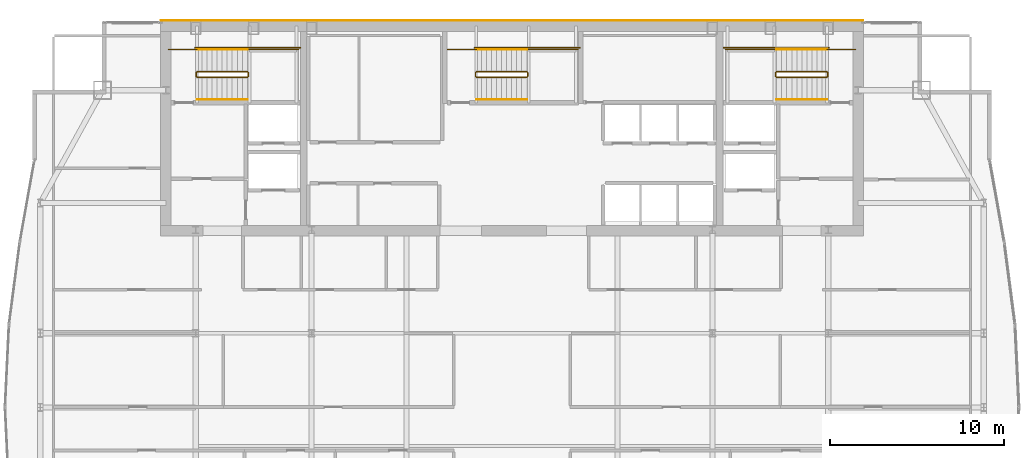
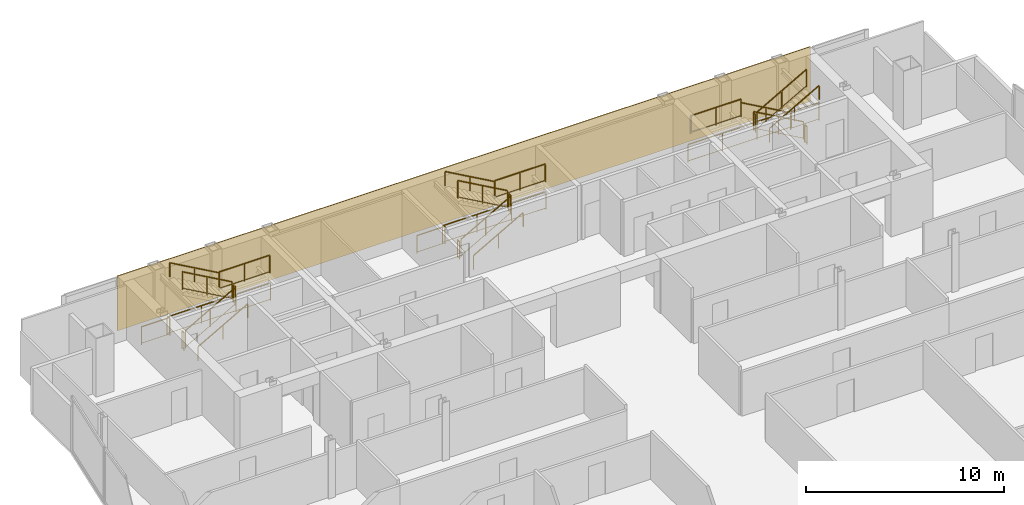
# One storey, part 30 of 30: 27 railings, 1 covering.
"""IFC4 building model written with IfcOpenShell, lengths in metres."""

from ifc_helpers import new_model, si_unit, direction, frame, origin, origin_2d, place, context, subcontext, project, spatial, polyline, rectangle, outline, extrude, material, layer, layer_set, type_object, element, save


model = new_model("IFC4")

# Units and contexts
model_context = context("Model", 3, precision=1e-05, world=origin(), true_north=direction((0.0, 1.0)))
body_context = subcontext(model_context, "Body", "Model", "MODEL_VIEW")
ifc_project = project(units=[si_unit("LENGTHUNIT", "METRE"), si_unit("AREAUNIT", "SQUARE_METRE"), si_unit("VOLUMEUNIT", "CUBIC_METRE"), si_unit("PLANEANGLEUNIT", "RADIAN"), si_unit("MASSUNIT", "GRAM", prefix="KILO")], contexts=[model_context])

# Site, building, storey
site_placement = place(None, origin())
site = spatial("IfcSite", under=ifc_project, at=site_placement, CompositionType="ELEMENT")
building_placement = place(site_placement, origin())
building = spatial("IfcBuilding", under=site, at=building_placement, Name="Khoronbel Lancet Exchange", CompositionType="ELEMENT")
storey_placement = place(building_placement, frame((0.0, 0.0, 253.39990234375)))
storey = spatial("IfcBuildingStorey", under=building, at=storey_placement, Name="L65", CompositionType="ELEMENT", Elevation=253.39990234375)

# Covering
ifc_material_1 = material(Name="Honed Egyptian Limestone & Bronze Rainscreen", Category="masonry")
ifc_layer = layer(ifc_material_1, 0.050048828125, Name="Honed Egyptian Limestone & Bronze Rainscreen")
ifc_layer_set = layer_set([ifc_layer], Name="Honed Egyptian Limestone & Bronze Rainscreen")
covering_type = type_object("IfcCoveringType", Name="COV-CLAD1", PredefinedType="CLADDING", material=ifc_layer_set)
covering_placement = place(storey_placement, origin())
element("IfcCovering", 1, at=covering_placement, inside=storey, type_object=covering_type, Name="Level L65 north rear-core stone and bronze rainscreen cladding", PredefinedType="CLADDING", context=body_context, shape_type="SweptSolid", body=[
    extrude(outline(polyline([(16.199951171875, 53.699951171875), (56.699951171875, 53.699951171875), (56.699951171875, 53.75), (16.199951171875, 53.75), (16.199951171875, 53.699951171875)])), origin(), (0.0, 0.0, 1.0), 3.380126953125),
])

# Railings
ifc_material_2 = material(Name="Painted Steel Balustrade", Category="steel")
railing_type_1 = type_object("IfcRailingType", Name="RL-STG110", PredefinedType="GUARDRAIL", material=ifc_material_2)
railing_1_placement = place(storey_placement, frame((18.300048828125, 50.449951171875, 0.163818359375)))
element("IfcRailing", 2, at=railing_1_placement, inside=storey, type_object=railing_type_1, Name="L65 ST1 stair guard 1", PredefinedType="GUARDRAIL", context=body_context, shape_type="SweptSolid", body=[
    extrude(rectangle(XDim=0.048095703125, YDim=0.048095703125, at=origin_2d()), frame((0.0, 0.0, 1.09619140625), z_axis=(0.870928581787, 0.0, 0.491409610636), x_axis=(0.0, 1.0, 0.0)), (0.0, 0.0, 1.0), 3.32958984375),
    extrude(rectangle(XDim=0.02392578125, YDim=0.02392578125, at=origin_2d()), frame((0.0, 0.0, 0.080078125), z_axis=(0.870928581787, 0.0, 0.491409610636), x_axis=(0.0, 1.0, 0.0)), (0.0, 0.0, 1.0), 3.32958984375),
    extrude(rectangle(XDim=0.0419921875, YDim=0.0419921875, at=origin_2d()), origin(), (0.0, 0.0, 1.0), 1.072021484375),
    extrude(rectangle(XDim=0.0419921875, YDim=0.0419921875, at=origin_2d()), frame((1.449951171875, 0.0, 0.818115234375)), (0.0, 0.0, 1.0), 1.072021484375),
    extrude(rectangle(XDim=0.0419921875, YDim=0.0419921875, at=origin_2d()), frame((2.89990234375, 0.0, 1.63623046875)), (0.0, 0.0, 1.0), 1.072021484375),
])
railing_2_placement = place(storey_placement, frame((21.25, 50.5, 1.800048828125)))
element("IfcRailing", 3, at=railing_2_placement, inside=storey, type_object=railing_type_1, Name="L65 ST1 stair guard 2", PredefinedType="GUARDRAIL", context=body_context, shape_type="SweptSolid", body=[
    extrude(rectangle(XDim=0.048095703125, YDim=0.048095703125, at=origin_2d()), frame((0.0, 0.0, 1.09619140625), z_axis=(0.0, 1.0, 0.0), x_axis=(-1.0, 0.0, 0.0)), (0.0, 0.0, 1.0), 0.219970703125),
    extrude(rectangle(XDim=0.02392578125, YDim=0.02392578125, at=origin_2d()), frame((0.0, 0.0, 0.080078125), z_axis=(0.0, 1.0, 0.0), x_axis=(-1.0, 0.0, 0.0)), (0.0, 0.0, 1.0), 0.219970703125),
    extrude(rectangle(XDim=0.0419921875, YDim=0.0419921875, at=origin_2d()), origin(), (0.0, 0.0, 1.0), 1.072021484375),
    extrude(rectangle(XDim=0.0419921875, YDim=0.0419921875, at=origin_2d()), frame((0.0, 0.219970703125, 0.0)), (0.0, 0.0, 1.0), 1.072021484375),
])
railing_3_placement = place(storey_placement, frame((21.199951171875, 52.050048828125, 1.800048828125)))
element("IfcRailing", 4, at=railing_3_placement, inside=storey, type_object=railing_type_1, Name="L65 ST1 stair guard 3", PredefinedType="GUARDRAIL", context=body_context, shape_type="SweptSolid", body=[
    extrude(rectangle(XDim=0.048095703125, YDim=0.048095703125, at=origin_2d()), frame((0.0, 0.0, 1.09619140625), z_axis=(1.0, 0.0, 0.0), x_axis=(0.0, 1.0, 0.0)), (0.0, 0.0, 1.0), 2.949951171875),
    extrude(rectangle(XDim=0.02392578125, YDim=0.02392578125, at=origin_2d()), frame((0.0, 0.0, 0.080078125), z_axis=(1.0, 0.0, 0.0), x_axis=(0.0, 1.0, 0.0)), (0.0, 0.0, 1.0), 2.949951171875),
    extrude(rectangle(XDim=0.0419921875, YDim=0.0419921875, at=origin_2d()), origin(), (0.0, 0.0, 1.0), 1.072021484375),
    extrude(rectangle(XDim=0.0419921875, YDim=0.0419921875, at=origin_2d()), frame((1.47509765625, 0.0, 0.0)), (0.0, 0.0, 1.0), 1.072021484375),
    extrude(rectangle(XDim=0.0419921875, YDim=0.0419921875, at=origin_2d()), frame((2.949951171875, 0.0, 0.0)), (0.0, 0.0, 1.0), 1.072021484375),
])
railing_4_placement = place(storey_placement, frame((21.199951171875, 50.77001953125, 1.963623046875)))
element("IfcRailing", 5, at=railing_4_placement, inside=storey, type_object=railing_type_1, Name="L65 ST1 stair guard 4", PredefinedType="GUARDRAIL", context=body_context, shape_type="SweptSolid", body=[
    extrude(rectangle(XDim=0.048095703125, YDim=0.048095703125, at=origin_2d()), frame((0.0, 0.0, 1.09619140625), z_axis=(-0.870897200241, 0.0, 0.491465224214), x_axis=(0.0, -1.0, 0.0)), (0.0, 0.0, 1.0), 3.329833984375),
    extrude(rectangle(XDim=0.02392578125, YDim=0.02392578125, at=origin_2d()), frame((0.0, 0.0, 0.080078125), z_axis=(-0.870897200241, 0.0, 0.491465224214), x_axis=(0.0, -1.0, 0.0)), (0.0, 0.0, 1.0), 3.329833984375),
    extrude(rectangle(XDim=0.0419921875, YDim=0.0419921875, at=origin_2d()), origin(), (0.0, 0.0, 1.0), 1.072021484375),
    extrude(rectangle(XDim=0.0419921875, YDim=0.0419921875, at=origin_2d()), frame((-1.449951171875, 0.0, 0.818359375)), (0.0, 0.0, 1.0), 1.072021484375),
    extrude(rectangle(XDim=0.0419921875, YDim=0.0419921875, at=origin_2d()), frame((-2.89990234375, 0.0, 1.636474609375)), (0.0, 0.0, 1.0), 1.072021484375),
])
railing_5_placement = place(storey_placement, frame((18.25, 50.5, 0.0)))
element("IfcRailing", 6, at=railing_5_placement, inside=storey, type_object=railing_type_1, Name="L65 ST1 stair guard 5", PredefinedType="GUARDRAIL", context=body_context, shape_type="SweptSolid", body=[
    extrude(rectangle(XDim=0.048095703125, YDim=0.048095703125, at=origin_2d()), frame((0.0, 0.0, 1.09619140625), z_axis=(0.0, 1.0, 0.0), x_axis=(-1.0, 0.0, 0.0)), (0.0, 0.0, 1.0), 0.219970703125),
    extrude(rectangle(XDim=0.02392578125, YDim=0.02392578125, at=origin_2d()), frame((0.0, 0.0, 0.080078125), z_axis=(0.0, 1.0, 0.0), x_axis=(-1.0, 0.0, 0.0)), (0.0, 0.0, 1.0), 0.219970703125),
    extrude(rectangle(XDim=0.0419921875, YDim=0.0419921875, at=origin_2d()), origin(), (0.0, 0.0, 1.0), 1.072021484375),
    extrude(rectangle(XDim=0.0419921875, YDim=0.0419921875, at=origin_2d()), frame((0.0, 0.219970703125, 0.0)), (0.0, 0.0, 1.0), 1.072021484375),
])
railing_6_placement = place(storey_placement, frame((16.64990234375, 52.050048828125, 0.0)))
element("IfcRailing", 7, at=railing_6_placement, inside=storey, type_object=railing_type_1, Name="L65 ST1 stair guard 6", PredefinedType="GUARDRAIL", context=body_context, shape_type="SweptSolid", body=[
    extrude(rectangle(XDim=0.048095703125, YDim=0.048095703125, at=origin_2d()), frame((0.0, 0.0, 1.09619140625), z_axis=(1.0, 0.0, 0.0), x_axis=(0.0, 1.0, 0.0)), (0.0, 0.0, 1.0), 1.650146484375),
    extrude(rectangle(XDim=0.02392578125, YDim=0.02392578125, at=origin_2d()), frame((0.0, 0.0, 0.080078125), z_axis=(1.0, 0.0, 0.0), x_axis=(0.0, 1.0, 0.0)), (0.0, 0.0, 1.0), 1.650146484375),
    extrude(rectangle(XDim=0.0419921875, YDim=0.0419921875, at=origin_2d()), origin(), (0.0, 0.0, 1.0), 1.072021484375),
    extrude(rectangle(XDim=0.0419921875, YDim=0.0419921875, at=origin_2d()), frame((1.650146484375, 0.0, 0.0)), (0.0, 0.0, 1.0), 1.072021484375),
])
railing_7_placement = place(storey_placement, frame((18.199951171875, 52.14990234375, 0.0)))
element("IfcRailing", 8, at=railing_7_placement, inside=storey, type_object=railing_type_1, Name="L65 ST1 stair guard 7", PredefinedType="GUARDRAIL", context=body_context, shape_type="SweptSolid", body=[
    extrude(rectangle(XDim=0.048095703125, YDim=0.048095703125, at=origin_2d()), frame((0.0, 0.0, 1.09619140625), z_axis=(1.0, 0.0, 0.0), x_axis=(0.0, 1.0, 0.0)), (0.0, 0.0, 1.0), 6.050048828125),
    extrude(rectangle(XDim=0.02392578125, YDim=0.02392578125, at=origin_2d()), frame((0.0, 0.0, 0.080078125), z_axis=(1.0, 0.0, 0.0), x_axis=(0.0, 1.0, 0.0)), (0.0, 0.0, 1.0), 6.050048828125),
    extrude(rectangle(XDim=0.0419921875, YDim=0.0419921875, at=origin_2d()), origin(), (0.0, 0.0, 1.0), 1.072021484375),
    extrude(rectangle(XDim=0.0419921875, YDim=0.0419921875, at=origin_2d()), frame((2.0166015625, 0.0, 0.0)), (0.0, 0.0, 1.0), 1.072021484375),
    extrude(rectangle(XDim=0.0419921875, YDim=0.0419921875, at=origin_2d()), frame((4.033447265625, 0.0, 0.0)), (0.0, 0.0, 1.0), 1.072021484375),
    extrude(rectangle(XDim=0.0419921875, YDim=0.0419921875, at=origin_2d()), frame((6.050048828125, 0.0, 0.0)), (0.0, 0.0, 1.0), 1.072021484375),
])
railing_8_placement = place(storey_placement, frame((54.60009765625, 50.77001953125, 0.163818359375)))
element("IfcRailing", 9, at=railing_8_placement, inside=storey, type_object=railing_type_1, Name="L65 ST2 stair guard 1", PredefinedType="GUARDRAIL", context=body_context, shape_type="SweptSolid", body=[
    extrude(rectangle(XDim=0.048095703125, YDim=0.048095703125, at=origin_2d()), frame((0.0, 0.0, 1.09619140625), z_axis=(-0.870946286338, 0.0, 0.49137823142), x_axis=(0.0, -1.0, 0.0)), (0.0, 0.0, 1.0), 3.329833984375),
    extrude(rectangle(XDim=0.02392578125, YDim=0.02392578125, at=origin_2d()), frame((0.0, 0.0, 0.080078125), z_axis=(-0.870946286338, 0.0, 0.49137823142), x_axis=(0.0, -1.0, 0.0)), (0.0, 0.0, 1.0), 3.329833984375),
    extrude(rectangle(XDim=0.0419921875, YDim=0.0419921875, at=origin_2d()), origin(), (0.0, 0.0, 1.0), 1.072021484375),
    extrude(rectangle(XDim=0.0419921875, YDim=0.0419921875, at=origin_2d()), frame((-1.4501953125, 0.0, 0.818115234375)), (0.0, 0.0, 1.0), 1.072021484375),
    extrude(rectangle(XDim=0.0419921875, YDim=0.0419921875, at=origin_2d()), frame((-2.900146484375, 0.0, 1.63623046875)), (0.0, 0.0, 1.0), 1.072021484375),
])
railing_9_placement = place(storey_placement, frame((51.64990234375, 50.719970703125, 1.800048828125)))
element("IfcRailing", 10, at=railing_9_placement, inside=storey, type_object=railing_type_1, Name="L65 ST2 stair guard 2", PredefinedType="GUARDRAIL", context=body_context, shape_type="SweptSolid", body=[
    extrude(rectangle(XDim=0.048095703125, YDim=0.048095703125, at=origin_2d()), frame((0.0, 0.0, 1.09619140625), z_axis=(0.0, -1.0, 0.0), x_axis=(1.0, 0.0, 0.0)), (0.0, 0.0, 1.0), 0.219970703125),
    extrude(rectangle(XDim=0.02392578125, YDim=0.02392578125, at=origin_2d()), frame((0.0, 0.0, 0.080078125), z_axis=(0.0, -1.0, 0.0), x_axis=(1.0, 0.0, 0.0)), (0.0, 0.0, 1.0), 0.219970703125),
    extrude(rectangle(XDim=0.0419921875, YDim=0.0419921875, at=origin_2d()), origin(), (0.0, 0.0, 1.0), 1.072021484375),
    extrude(rectangle(XDim=0.0419921875, YDim=0.0419921875, at=origin_2d()), frame((0.0, -0.219970703125, 0.0)), (0.0, 0.0, 1.0), 1.072021484375),
])
railing_10_placement = place(storey_placement, frame((51.699951171875, 52.050048828125, 1.800048828125)))
element("IfcRailing", 11, at=railing_10_placement, inside=storey, type_object=railing_type_1, Name="L65 ST2 stair guard 3", PredefinedType="GUARDRAIL", context=body_context, shape_type="SweptSolid", body=[
    extrude(rectangle(XDim=0.048095703125, YDim=0.048095703125, at=origin_2d()), frame((0.0, 0.0, 1.09619140625), z_axis=(-1.0, 0.0, 0.0), x_axis=(0.0, -1.0, 0.0)), (0.0, 0.0, 1.0), 2.949951171875),
    extrude(rectangle(XDim=0.02392578125, YDim=0.02392578125, at=origin_2d()), frame((0.0, 0.0, 0.080078125), z_axis=(-1.0, 0.0, 0.0), x_axis=(0.0, -1.0, 0.0)), (0.0, 0.0, 1.0), 2.949951171875),
    extrude(rectangle(XDim=0.0419921875, YDim=0.0419921875, at=origin_2d()), origin(), (0.0, 0.0, 1.0), 1.072021484375),
    extrude(rectangle(XDim=0.0419921875, YDim=0.0419921875, at=origin_2d()), frame((-1.47509765625, 0.0, 0.0)), (0.0, 0.0, 1.0), 1.072021484375),
    extrude(rectangle(XDim=0.0419921875, YDim=0.0419921875, at=origin_2d()), frame((-2.949951171875, 0.0, 0.0)), (0.0, 0.0, 1.0), 1.072021484375),
])
railing_11_placement = place(storey_placement, frame((51.699951171875, 50.449951171875, 1.963623046875)))
element("IfcRailing", 12, at=railing_11_placement, inside=storey, type_object=railing_type_1, Name="L65 ST2 stair guard 4", PredefinedType="GUARDRAIL", context=body_context, shape_type="SweptSolid", body=[
    extrude(rectangle(XDim=0.048095703125, YDim=0.048095703125, at=origin_2d()), frame((0.0, 0.0, 1.09619140625), z_axis=(0.870914908162, 0.0, 0.491433843708), x_axis=(0.0, 1.0, 0.0)), (0.0, 0.0, 1.0), 3.330078125),
    extrude(rectangle(XDim=0.02392578125, YDim=0.02392578125, at=origin_2d()), frame((0.0, 0.0, 0.080078125), z_axis=(0.870914908162, 0.0, 0.491433843708), x_axis=(0.0, 1.0, 0.0)), (0.0, 0.0, 1.0), 3.330078125),
    extrude(rectangle(XDim=0.0419921875, YDim=0.0419921875, at=origin_2d()), origin(), (0.0, 0.0, 1.0), 1.072021484375),
    extrude(rectangle(XDim=0.0419921875, YDim=0.0419921875, at=origin_2d()), frame((1.4501953125, 0.0, 0.818359375)), (0.0, 0.0, 1.0), 1.072021484375),
    extrude(rectangle(XDim=0.0419921875, YDim=0.0419921875, at=origin_2d()), frame((2.900146484375, 0.0, 1.636474609375)), (0.0, 0.0, 1.0), 1.072021484375),
])
railing_12_placement = place(storey_placement, frame((54.64990234375, 50.719970703125, 0.0)))
element("IfcRailing", 13, at=railing_12_placement, inside=storey, type_object=railing_type_1, Name="L65 ST2 stair guard 5", PredefinedType="GUARDRAIL", context=body_context, shape_type="SweptSolid", body=[
    extrude(rectangle(XDim=0.048095703125, YDim=0.048095703125, at=origin_2d()), frame((0.0, 0.0, 1.09619140625), z_axis=(0.0, -1.0, 0.0), x_axis=(1.0, 0.0, 0.0)), (0.0, 0.0, 1.0), 0.219970703125),
    extrude(rectangle(XDim=0.02392578125, YDim=0.02392578125, at=origin_2d()), frame((0.0, 0.0, 0.080078125), z_axis=(0.0, -1.0, 0.0), x_axis=(1.0, 0.0, 0.0)), (0.0, 0.0, 1.0), 0.219970703125),
    extrude(rectangle(XDim=0.0419921875, YDim=0.0419921875, at=origin_2d()), origin(), (0.0, 0.0, 1.0), 1.072021484375),
    extrude(rectangle(XDim=0.0419921875, YDim=0.0419921875, at=origin_2d()), frame((0.0, -0.219970703125, 0.0)), (0.0, 0.0, 1.0), 1.072021484375),
])
railing_13_placement = place(storey_placement, frame((56.25, 52.050048828125, 0.0)))
element("IfcRailing", 14, at=railing_13_placement, inside=storey, type_object=railing_type_1, Name="L65 ST2 stair guard 6", PredefinedType="GUARDRAIL", context=body_context, shape_type="SweptSolid", body=[
    extrude(rectangle(XDim=0.048095703125, YDim=0.048095703125, at=origin_2d()), frame((0.0, 0.0, 1.09619140625), z_axis=(-1.0, 0.0, 0.0), x_axis=(0.0, -1.0, 0.0)), (0.0, 0.0, 1.0), 1.64990234375),
    extrude(rectangle(XDim=0.02392578125, YDim=0.02392578125, at=origin_2d()), frame((0.0, 0.0, 0.080078125), z_axis=(-1.0, 0.0, 0.0), x_axis=(0.0, -1.0, 0.0)), (0.0, 0.0, 1.0), 1.64990234375),
    extrude(rectangle(XDim=0.0419921875, YDim=0.0419921875, at=origin_2d()), origin(), (0.0, 0.0, 1.0), 1.072021484375),
    extrude(rectangle(XDim=0.0419921875, YDim=0.0419921875, at=origin_2d()), frame((-1.64990234375, 0.0, 0.0)), (0.0, 0.0, 1.0), 1.072021484375),
])
railing_14_placement = place(storey_placement, frame((54.699951171875, 52.14990234375, 0.0)))
element("IfcRailing", 15, at=railing_14_placement, inside=storey, type_object=railing_type_1, Name="L65 ST2 stair guard 7", PredefinedType="GUARDRAIL", context=body_context, shape_type="SweptSolid", body=[
    extrude(rectangle(XDim=0.048095703125, YDim=0.048095703125, at=origin_2d()), frame((0.0, 0.0, 1.09619140625), z_axis=(-1.0, 0.0, 0.0), x_axis=(0.0, -1.0, 0.0)), (0.0, 0.0, 1.0), 6.050048828125),
    extrude(rectangle(XDim=0.02392578125, YDim=0.02392578125, at=origin_2d()), frame((0.0, 0.0, 0.080078125), z_axis=(-1.0, 0.0, 0.0), x_axis=(0.0, -1.0, 0.0)), (0.0, 0.0, 1.0), 6.050048828125),
    extrude(rectangle(XDim=0.0419921875, YDim=0.0419921875, at=origin_2d()), origin(), (0.0, 0.0, 1.0), 1.072021484375),
    extrude(rectangle(XDim=0.0419921875, YDim=0.0419921875, at=origin_2d()), frame((-2.0166015625, 0.0, 0.0)), (0.0, 0.0, 1.0), 1.072021484375),
    extrude(rectangle(XDim=0.0419921875, YDim=0.0419921875, at=origin_2d()), frame((-4.033447265625, 0.0, 0.0)), (0.0, 0.0, 1.0), 1.072021484375),
    extrude(rectangle(XDim=0.0419921875, YDim=0.0419921875, at=origin_2d()), frame((-6.050048828125, 0.0, 0.0)), (0.0, 0.0, 1.0), 1.072021484375),
])
railing_15_placement = place(storey_placement, frame((34.39990234375, 50.449951171875, 0.163818359375)))
element("IfcRailing", 16, at=railing_15_placement, inside=storey, type_object=railing_type_1, Name="L65 ST3 stair guard 1", PredefinedType="GUARDRAIL", context=body_context, shape_type="SweptSolid", body=[
    extrude(rectangle(XDim=0.048095703125, YDim=0.048095703125, at=origin_2d()), frame((0.0, 0.0, 1.09619140625), z_axis=(0.870946286338, 0.0, 0.49137823142), x_axis=(0.0, 1.0, 0.0)), (0.0, 0.0, 1.0), 3.329833984375),
    extrude(rectangle(XDim=0.02392578125, YDim=0.02392578125, at=origin_2d()), frame((0.0, 0.0, 0.080078125), z_axis=(0.870946286338, 0.0, 0.49137823142), x_axis=(0.0, 1.0, 0.0)), (0.0, 0.0, 1.0), 3.329833984375),
    extrude(rectangle(XDim=0.0419921875, YDim=0.0419921875, at=origin_2d()), origin(), (0.0, 0.0, 1.0), 1.072021484375),
    extrude(rectangle(XDim=0.0419921875, YDim=0.0419921875, at=origin_2d()), frame((1.4501953125, 0.0, 0.818115234375)), (0.0, 0.0, 1.0), 1.072021484375),
    extrude(rectangle(XDim=0.0419921875, YDim=0.0419921875, at=origin_2d()), frame((2.900146484375, 0.0, 1.63623046875)), (0.0, 0.0, 1.0), 1.072021484375),
])
railing_16_placement = place(storey_placement, frame((37.35009765625, 50.5, 1.800048828125)))
element("IfcRailing", 17, at=railing_16_placement, inside=storey, type_object=railing_type_1, Name="L65 ST3 stair guard 2", PredefinedType="GUARDRAIL", context=body_context, shape_type="SweptSolid", body=[
    extrude(rectangle(XDim=0.048095703125, YDim=0.048095703125, at=origin_2d()), frame((0.0, 0.0, 1.09619140625), z_axis=(0.0, 1.0, 0.0), x_axis=(-1.0, 0.0, 0.0)), (0.0, 0.0, 1.0), 0.219970703125),
    extrude(rectangle(XDim=0.02392578125, YDim=0.02392578125, at=origin_2d()), frame((0.0, 0.0, 0.080078125), z_axis=(0.0, 1.0, 0.0), x_axis=(-1.0, 0.0, 0.0)), (0.0, 0.0, 1.0), 0.219970703125),
    extrude(rectangle(XDim=0.0419921875, YDim=0.0419921875, at=origin_2d()), origin(), (0.0, 0.0, 1.0), 1.072021484375),
    extrude(rectangle(XDim=0.0419921875, YDim=0.0419921875, at=origin_2d()), frame((0.0, 0.219970703125, 0.0)), (0.0, 0.0, 1.0), 1.072021484375),
])
railing_17_placement = place(storey_placement, frame((37.300048828125, 52.050048828125, 1.800048828125)))
element("IfcRailing", 18, at=railing_17_placement, inside=storey, type_object=railing_type_1, Name="L65 ST3 stair guard 3", PredefinedType="GUARDRAIL", context=body_context, shape_type="SweptSolid", body=[
    extrude(rectangle(XDim=0.048095703125, YDim=0.048095703125, at=origin_2d()), frame((0.0, 0.0, 1.09619140625), z_axis=(1.0, 0.0, 0.0), x_axis=(0.0, 1.0, 0.0)), (0.0, 0.0, 1.0), 2.949951171875),
    extrude(rectangle(XDim=0.02392578125, YDim=0.02392578125, at=origin_2d()), frame((0.0, 0.0, 0.080078125), z_axis=(1.0, 0.0, 0.0), x_axis=(0.0, 1.0, 0.0)), (0.0, 0.0, 1.0), 2.949951171875),
    extrude(rectangle(XDim=0.0419921875, YDim=0.0419921875, at=origin_2d()), origin(), (0.0, 0.0, 1.0), 1.072021484375),
    extrude(rectangle(XDim=0.0419921875, YDim=0.0419921875, at=origin_2d()), frame((1.47509765625, 0.0, 0.0)), (0.0, 0.0, 1.0), 1.072021484375),
    extrude(rectangle(XDim=0.0419921875, YDim=0.0419921875, at=origin_2d()), frame((2.949951171875, 0.0, 0.0)), (0.0, 0.0, 1.0), 1.072021484375),
])
railing_18_placement = place(storey_placement, frame((37.300048828125, 50.77001953125, 1.963623046875)))
element("IfcRailing", 19, at=railing_18_placement, inside=storey, type_object=railing_type_1, Name="L65 ST3 stair guard 4", PredefinedType="GUARDRAIL", context=body_context, shape_type="SweptSolid", body=[
    extrude(rectangle(XDim=0.048095703125, YDim=0.048095703125, at=origin_2d()), frame((0.0, 0.0, 1.09619140625), z_axis=(-0.870914908162, 0.0, 0.491433843708), x_axis=(0.0, -1.0, 0.0)), (0.0, 0.0, 1.0), 3.330078125),
    extrude(rectangle(XDim=0.02392578125, YDim=0.02392578125, at=origin_2d()), frame((0.0, 0.0, 0.080078125), z_axis=(-0.870914908162, 0.0, 0.491433843708), x_axis=(0.0, -1.0, 0.0)), (0.0, 0.0, 1.0), 3.330078125),
    extrude(rectangle(XDim=0.0419921875, YDim=0.0419921875, at=origin_2d()), origin(), (0.0, 0.0, 1.0), 1.072021484375),
    extrude(rectangle(XDim=0.0419921875, YDim=0.0419921875, at=origin_2d()), frame((-1.4501953125, 0.0, 0.818359375)), (0.0, 0.0, 1.0), 1.072021484375),
    extrude(rectangle(XDim=0.0419921875, YDim=0.0419921875, at=origin_2d()), frame((-2.900146484375, 0.0, 1.636474609375)), (0.0, 0.0, 1.0), 1.072021484375),
])
railing_19_placement = place(storey_placement, frame((34.35009765625, 50.5, 0.0)))
element("IfcRailing", 20, at=railing_19_placement, inside=storey, type_object=railing_type_1, Name="L65 ST3 stair guard 5", PredefinedType="GUARDRAIL", context=body_context, shape_type="SweptSolid", body=[
    extrude(rectangle(XDim=0.048095703125, YDim=0.048095703125, at=origin_2d()), frame((0.0, 0.0, 1.09619140625), z_axis=(0.0, 1.0, 0.0), x_axis=(-1.0, 0.0, 0.0)), (0.0, 0.0, 1.0), 0.219970703125),
    extrude(rectangle(XDim=0.02392578125, YDim=0.02392578125, at=origin_2d()), frame((0.0, 0.0, 0.080078125), z_axis=(0.0, 1.0, 0.0), x_axis=(-1.0, 0.0, 0.0)), (0.0, 0.0, 1.0), 0.219970703125),
    extrude(rectangle(XDim=0.0419921875, YDim=0.0419921875, at=origin_2d()), origin(), (0.0, 0.0, 1.0), 1.072021484375),
    extrude(rectangle(XDim=0.0419921875, YDim=0.0419921875, at=origin_2d()), frame((0.0, 0.219970703125, 0.0)), (0.0, 0.0, 1.0), 1.072021484375),
])
railing_20_placement = place(storey_placement, frame((32.75, 52.050048828125, 0.0)))
element("IfcRailing", 21, at=railing_20_placement, inside=storey, type_object=railing_type_1, Name="L65 ST3 stair guard 6", PredefinedType="GUARDRAIL", context=body_context, shape_type="SweptSolid", body=[
    extrude(rectangle(XDim=0.048095703125, YDim=0.048095703125, at=origin_2d()), frame((0.0, 0.0, 1.09619140625), z_axis=(1.0, 0.0, 0.0), x_axis=(0.0, 1.0, 0.0)), (0.0, 0.0, 1.0), 1.64990234375),
    extrude(rectangle(XDim=0.02392578125, YDim=0.02392578125, at=origin_2d()), frame((0.0, 0.0, 0.080078125), z_axis=(1.0, 0.0, 0.0), x_axis=(0.0, 1.0, 0.0)), (0.0, 0.0, 1.0), 1.64990234375),
    extrude(rectangle(XDim=0.0419921875, YDim=0.0419921875, at=origin_2d()), origin(), (0.0, 0.0, 1.0), 1.072021484375),
    extrude(rectangle(XDim=0.0419921875, YDim=0.0419921875, at=origin_2d()), frame((1.64990234375, 0.0, 0.0)), (0.0, 0.0, 1.0), 1.072021484375),
])
railing_21_placement = place(storey_placement, frame((34.300048828125, 52.14990234375, 0.0)))
element("IfcRailing", 22, at=railing_21_placement, inside=storey, type_object=railing_type_1, Name="L65 ST3 stair guard 7", PredefinedType="GUARDRAIL", context=body_context, shape_type="SweptSolid", body=[
    extrude(rectangle(XDim=0.048095703125, YDim=0.048095703125, at=origin_2d()), frame((0.0, 0.0, 1.09619140625), z_axis=(1.0, 0.0, 0.0), x_axis=(0.0, 1.0, 0.0)), (0.0, 0.0, 1.0), 6.050048828125),
    extrude(rectangle(XDim=0.02392578125, YDim=0.02392578125, at=origin_2d()), frame((0.0, 0.0, 0.080078125), z_axis=(1.0, 0.0, 0.0), x_axis=(0.0, 1.0, 0.0)), (0.0, 0.0, 1.0), 6.050048828125),
    extrude(rectangle(XDim=0.0419921875, YDim=0.0419921875, at=origin_2d()), origin(), (0.0, 0.0, 1.0), 1.072021484375),
    extrude(rectangle(XDim=0.0419921875, YDim=0.0419921875, at=origin_2d()), frame((2.0166015625, 0.0, 0.0)), (0.0, 0.0, 1.0), 1.072021484375),
    extrude(rectangle(XDim=0.0419921875, YDim=0.0419921875, at=origin_2d()), frame((4.033447265625, 0.0, 0.0)), (0.0, 0.0, 1.0), 1.072021484375),
    extrude(rectangle(XDim=0.0419921875, YDim=0.0419921875, at=origin_2d()), frame((6.050048828125, 0.0, 0.0)), (0.0, 0.0, 1.0), 1.072021484375),
])
ifc_material_3 = material(Name="Brushed Stainless Steel 316", Category="steel")
railing_type_2 = type_object("IfcRailingType", Name="RL-STH92", PredefinedType="HANDRAIL", material=ifc_material_3)
railing_22_placement = place(storey_placement, frame((18.300048828125, 49.169921875, 0.163818359375)))
element("IfcRailing", 23, at=railing_22_placement, inside=storey, type_object=railing_type_2, Name="L65 ST1 stair handrail 1", PredefinedType="HANDRAIL", context=body_context, shape_type="SweptSolid", body=[
    extrude(rectangle(XDim=0.048095703125, YDim=0.048095703125, at=origin_2d()), frame((0.0, 0.0, 0.8759765625), z_axis=(0.870928581787, 0.0, 0.491409610636), x_axis=(0.0, 1.0, 0.0)), (0.0, 0.0, 1.0), 3.32958984375),
    extrude(rectangle(XDim=0.0419921875, YDim=0.0419921875, at=origin_2d()), origin(), (0.0, 0.0, 1.0), 0.851806640625),
    extrude(rectangle(XDim=0.0419921875, YDim=0.0419921875, at=origin_2d()), frame((1.449951171875, 0.0, 0.818115234375)), (0.0, 0.0, 1.0), 0.851806640625),
    extrude(rectangle(XDim=0.0419921875, YDim=0.0419921875, at=origin_2d()), frame((2.89990234375, 0.0, 1.63623046875)), (0.0, 0.0, 1.0), 0.851806640625),
])
railing_23_placement = place(storey_placement, frame((21.199951171875, 52.050048828125, 1.963623046875)))
element("IfcRailing", 24, at=railing_23_placement, inside=storey, type_object=railing_type_2, Name="L65 ST1 stair handrail 2", PredefinedType="HANDRAIL", context=body_context, shape_type="SweptSolid", body=[
    extrude(rectangle(XDim=0.048095703125, YDim=0.048095703125, at=origin_2d()), frame((0.0, 0.0, 0.8759765625), z_axis=(-0.870897200241, 0.0, 0.491465224214), x_axis=(0.0, -1.0, 0.0)), (0.0, 0.0, 1.0), 3.329833984375),
    extrude(rectangle(XDim=0.0419921875, YDim=0.0419921875, at=origin_2d()), origin(), (0.0, 0.0, 1.0), 0.851806640625),
    extrude(rectangle(XDim=0.0419921875, YDim=0.0419921875, at=origin_2d()), frame((-1.449951171875, 0.0, 0.818359375)), (0.0, 0.0, 1.0), 0.851806640625),
    extrude(rectangle(XDim=0.0419921875, YDim=0.0419921875, at=origin_2d()), frame((-2.89990234375, 0.0, 1.636474609375)), (0.0, 0.0, 1.0), 0.851806640625),
])
railing_24_placement = place(storey_placement, frame((54.60009765625, 52.050048828125, 0.163818359375)))
element("IfcRailing", 25, at=railing_24_placement, inside=storey, type_object=railing_type_2, Name="L65 ST2 stair handrail 1", PredefinedType="HANDRAIL", context=body_context, shape_type="SweptSolid", body=[
    extrude(rectangle(XDim=0.048095703125, YDim=0.048095703125, at=origin_2d()), frame((0.0, 0.0, 0.8759765625), z_axis=(-0.870946286338, 0.0, 0.49137823142), x_axis=(0.0, -1.0, 0.0)), (0.0, 0.0, 1.0), 3.329833984375),
    extrude(rectangle(XDim=0.0419921875, YDim=0.0419921875, at=origin_2d()), origin(), (0.0, 0.0, 1.0), 0.851806640625),
    extrude(rectangle(XDim=0.0419921875, YDim=0.0419921875, at=origin_2d()), frame((-1.4501953125, 0.0, 0.818115234375)), (0.0, 0.0, 1.0), 0.851806640625),
    extrude(rectangle(XDim=0.0419921875, YDim=0.0419921875, at=origin_2d()), frame((-2.900146484375, 0.0, 1.63623046875)), (0.0, 0.0, 1.0), 0.851806640625),
])
railing_25_placement = place(storey_placement, frame((51.699951171875, 49.169921875, 1.963623046875)))
element("IfcRailing", 26, at=railing_25_placement, inside=storey, type_object=railing_type_2, Name="L65 ST2 stair handrail 2", PredefinedType="HANDRAIL", context=body_context, shape_type="SweptSolid", body=[
    extrude(rectangle(XDim=0.048095703125, YDim=0.048095703125, at=origin_2d()), frame((0.0, 0.0, 0.8759765625), z_axis=(0.870914908162, 0.0, 0.491433843708), x_axis=(0.0, 1.0, 0.0)), (0.0, 0.0, 1.0), 3.330078125),
    extrude(rectangle(XDim=0.0419921875, YDim=0.0419921875, at=origin_2d()), origin(), (0.0, 0.0, 1.0), 0.851806640625),
    extrude(rectangle(XDim=0.0419921875, YDim=0.0419921875, at=origin_2d()), frame((1.4501953125, 0.0, 0.818359375)), (0.0, 0.0, 1.0), 0.851806640625),
    extrude(rectangle(XDim=0.0419921875, YDim=0.0419921875, at=origin_2d()), frame((2.900146484375, 0.0, 1.636474609375)), (0.0, 0.0, 1.0), 0.851806640625),
])
railing_26_placement = place(storey_placement, frame((34.39990234375, 49.169921875, 0.163818359375)))
element("IfcRailing", 27, at=railing_26_placement, inside=storey, type_object=railing_type_2, Name="L65 ST3 stair handrail 1", PredefinedType="HANDRAIL", context=body_context, shape_type="SweptSolid", body=[
    extrude(rectangle(XDim=0.048095703125, YDim=0.048095703125, at=origin_2d()), frame((0.0, 0.0, 0.8759765625), z_axis=(0.870946286338, 0.0, 0.49137823142), x_axis=(0.0, 1.0, 0.0)), (0.0, 0.0, 1.0), 3.329833984375),
    extrude(rectangle(XDim=0.0419921875, YDim=0.0419921875, at=origin_2d()), origin(), (0.0, 0.0, 1.0), 0.851806640625),
    extrude(rectangle(XDim=0.0419921875, YDim=0.0419921875, at=origin_2d()), frame((1.4501953125, 0.0, 0.818115234375)), (0.0, 0.0, 1.0), 0.851806640625),
    extrude(rectangle(XDim=0.0419921875, YDim=0.0419921875, at=origin_2d()), frame((2.900146484375, 0.0, 1.63623046875)), (0.0, 0.0, 1.0), 0.851806640625),
])
railing_27_placement = place(storey_placement, frame((37.300048828125, 52.050048828125, 1.963623046875)))
element("IfcRailing", 28, at=railing_27_placement, inside=storey, type_object=railing_type_2, Name="L65 ST3 stair handrail 2", PredefinedType="HANDRAIL", context=body_context, shape_type="SweptSolid", body=[
    extrude(rectangle(XDim=0.048095703125, YDim=0.048095703125, at=origin_2d()), frame((0.0, 0.0, 0.8759765625), z_axis=(-0.870914908162, 0.0, 0.491433843708), x_axis=(0.0, -1.0, 0.0)), (0.0, 0.0, 1.0), 3.330078125),
    extrude(rectangle(XDim=0.0419921875, YDim=0.0419921875, at=origin_2d()), origin(), (0.0, 0.0, 1.0), 0.851806640625),
    extrude(rectangle(XDim=0.0419921875, YDim=0.0419921875, at=origin_2d()), frame((-1.4501953125, 0.0, 0.818359375)), (0.0, 0.0, 1.0), 0.851806640625),
    extrude(rectangle(XDim=0.0419921875, YDim=0.0419921875, at=origin_2d()), frame((-2.900146484375, 0.0, 1.636474609375)), (0.0, 0.0, 1.0), 0.851806640625),
])

save(model, "model.ifc")
